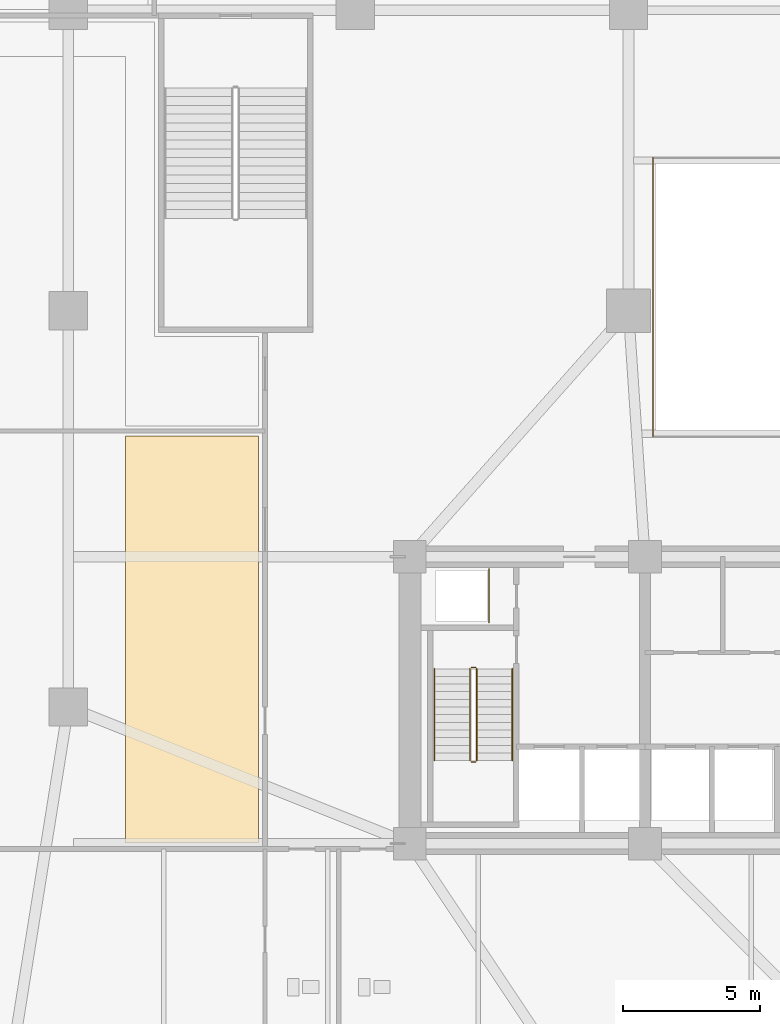
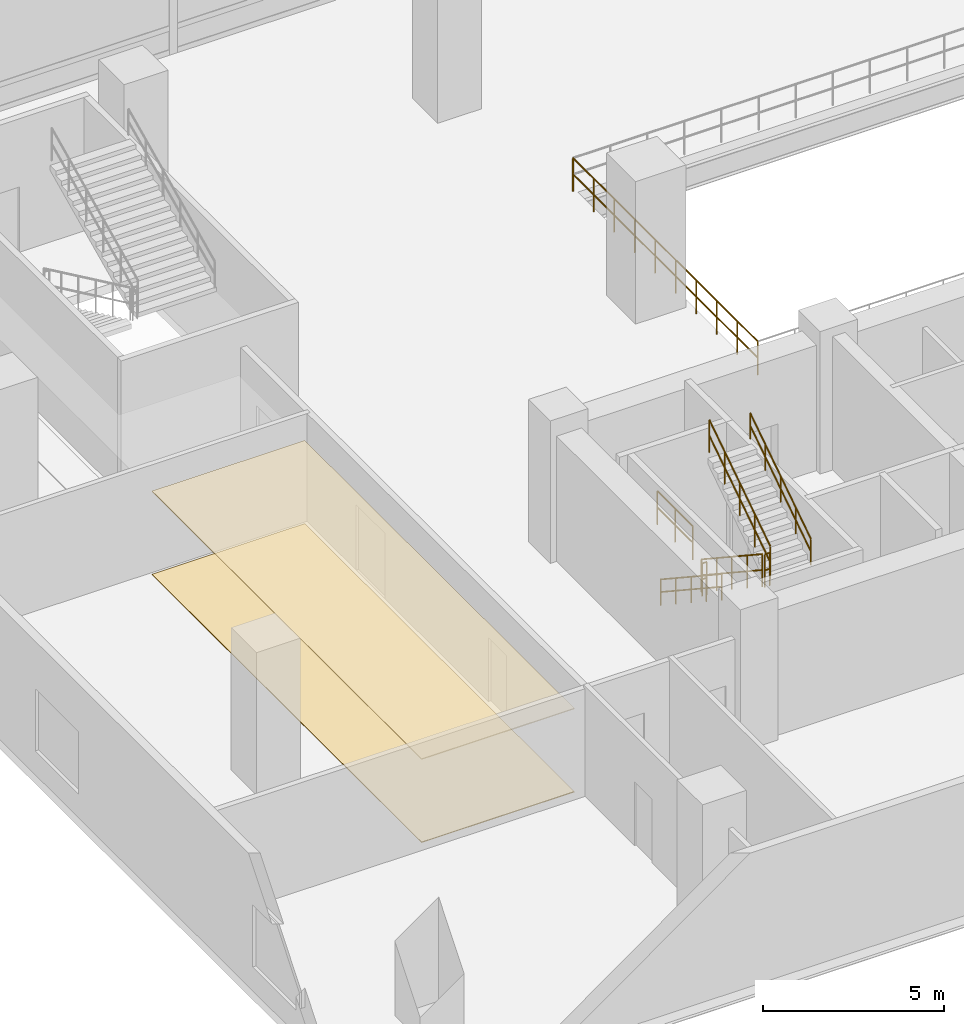
# One storey, part 10 of 15: 8 railings, 2 coverings.
"""IFC4 building model written with IfcOpenShell, lengths in metres."""

from ifc_helpers import new_model, si_unit, direction, frame, origin, origin_2d, place, context, subcontext, project, spatial, polyline, circle, outline, extrude, material, layer, layer_set, type_object, element, save


model = new_model("IFC4")

# Units and contexts
model_context = context("Model", 3, precision=1e-05, world=origin(), true_north=direction((0.0, 1.0)))
body_context = subcontext(model_context, "Body", "Model", "MODEL_VIEW")
ifc_project = project(units=[si_unit("LENGTHUNIT", "METRE"), si_unit("AREAUNIT", "SQUARE_METRE"), si_unit("VOLUMEUNIT", "CUBIC_METRE"), si_unit("PLANEANGLEUNIT", "RADIAN"), si_unit("MASSUNIT", "GRAM", prefix="KILO")], contexts=[model_context])

# Site, building, storey
site_placement = place(None, origin())
site = spatial("IfcSite", under=ifc_project, at=site_placement, CompositionType="ELEMENT")
building_placement = place(site_placement, origin())
building = spatial("IfcBuilding", under=site, at=building_placement, Name="Solmavex Isthmus Hotel", CompositionType="ELEMENT")
storey_placement = place(building_placement, frame((0.0, 0.0, 11.39990234375)))
storey = spatial("IfcBuildingStorey", under=building, at=storey_placement, Name="L03", CompositionType="ELEMENT", Elevation=11.39990234375)

# Coverings
ifc_material_1 = material(Name="Gypsum plasterboard lining", Category="gypsum")
ifc_layer_1 = layer(ifc_material_1, 0.030029296875)
ifc_layer_set_1 = layer_set([ifc_layer_1], Name="Gypsum plasterboard lining")
covering_type_1 = type_object("IfcCoveringType", Name="COV-CEIL-GYP", PredefinedType="CEILING", material=ifc_layer_set_1)
covering_1_placement = place(storey_placement, frame((0.0, 0.0, 2.800048828125)))
element("IfcCovering", 1, at=covering_1_placement, inside=storey, type_object=covering_type_1, Name="Suspended Acoustic Ceiling L03-MT01", PredefinedType="CEILING", context=body_context, shape_type="SweptSolid", body=[
    extrude(outline(polyline([(-21.530029296875, -12.969970703125), (-21.530029296875, 1.919921875), (-26.39990234375, 1.919921875), (-26.39990234375, -12.969970703125), (-21.530029296875, -12.969970703125)])), origin(), (0.0, 0.0, 1.0), 0.030029296875),
])
ifc_material_2 = material(Name="Travertine natural stone", Category="masonry")
ifc_layer_2 = layer(ifc_material_2, 0.02490234375)
ifc_layer_set_2 = layer_set([ifc_layer_2], Name="Travertine natural stone")
covering_type_2 = type_object("IfcCoveringType", Name="COV-FLOR-STN", PredefinedType="FLOORING", material=ifc_layer_set_2)
covering_2_placement = place(storey_placement, origin())
element("IfcCovering", 2, at=covering_2_placement, inside=storey, type_object=covering_type_2, Name="Stone and Timber Floor Finish L03-MT01", PredefinedType="FLOORING", context=body_context, shape_type="SweptSolid", body=[
    extrude(outline(polyline([(-21.530029296875, -12.969970703125), (-21.530029296875, 1.919921875), (-26.39990234375, 1.919921875), (-26.39990234375, -12.969970703125), (-21.530029296875, -12.969970703125)])), origin(), (0.0, 0.0, 1.0), 0.025146484375),
])

# Railings
ifc_material_3 = material(Name="Clear low-E laminated glass", Category="glass")
ifc_layer_3 = layer(ifc_material_3, 0.080078125)
ifc_layer_set_3 = layer_set([ifc_layer_3], Name="Clear low-E laminated glass")
railing_type_1 = type_object("IfcRailingType", Name="RAIL-ATRIUM-1120", PredefinedType="BALUSTRADE", material=ifc_layer_set_3)
railing_1_placement = place(storey_placement, frame((-7.10009765625, 12.10009765625, 0.0)))
element("IfcRailing", 3, at=railing_1_placement, inside=storey, type_object=railing_type_1, Name="Guardrail Balustrade L03-ATRIUM-04", PredefinedType="BALUSTRADE", context=body_context, shape_type="SweptSolid", body=[
    extrude(circle(Radius=0.02392578125, at=origin_2d()), frame((0.0, 0.0, 1.1259765625), z_axis=(0.0, -1.0, 0.0), x_axis=(1.0, 0.0, 0.0)), (0.0, 0.0, 1.0), 10.2001953125),
    extrude(circle(Radius=0.02392578125, at=origin_2d()), frame((0.0, 0.0, 0.574951171875), z_axis=(0.0, -1.0, 0.0), x_axis=(1.0, 0.0, 0.0)), (0.0, 0.0, 1.0), 10.2001953125),
    extrude(circle(Radius=0.02099609375, at=origin_2d()), origin(), (0.0, 0.0, 1.0), 1.101806640625),
    extrude(circle(Radius=0.02099609375, at=origin_2d()), frame((0.0, -1.13330078125, 0.0)), (0.0, 0.0, 1.0), 1.101806640625),
    extrude(circle(Radius=0.02099609375, at=origin_2d()), frame((0.0, -2.2666015625, 0.0)), (0.0, 0.0, 1.0), 1.101806640625),
    extrude(circle(Radius=0.02099609375, at=origin_2d()), frame((0.0, -3.400146484375, 0.0)), (0.0, 0.0, 1.0), 1.101806640625),
    extrude(circle(Radius=0.02099609375, at=origin_2d()), frame((0.0, -4.533447265625, 0.0)), (0.0, 0.0, 1.0), 1.101806640625),
    extrude(circle(Radius=0.02099609375, at=origin_2d()), frame((0.0, -5.666748046875, 0.0)), (0.0, 0.0, 1.0), 1.101806640625),
    extrude(circle(Radius=0.02099609375, at=origin_2d()), frame((0.0, -6.800048828125, 0.0)), (0.0, 0.0, 1.0), 1.101806640625),
    extrude(circle(Radius=0.02099609375, at=origin_2d()), frame((0.0, -7.93359375, 0.0)), (0.0, 0.0, 1.0), 1.101806640625),
    extrude(circle(Radius=0.02099609375, at=origin_2d()), frame((0.0, -9.06689453125, 0.0)), (0.0, 0.0, 1.0), 1.101806640625),
    extrude(circle(Radius=0.02099609375, at=origin_2d()), frame((0.0, -10.2001953125, 0.0)), (0.0, 0.0, 1.0), 1.101806640625),
])
railing_2_placement = place(storey_placement, frame((-13.10009765625, -4.89990234375, 0.0)))
element("IfcRailing", 4, at=railing_2_placement, inside=storey, type_object=railing_type_1, Name="Guardrail Balustrade L03-RSW-01", PredefinedType="BALUSTRADE", context=body_context, shape_type="SweptSolid", body=[
    extrude(circle(Radius=0.02392578125, at=origin_2d()), frame((0.0, 0.0, 1.1259765625), z_axis=(0.0, 1.0, 0.0), x_axis=(-1.0, 0.0, 0.0)), (0.0, 0.0, 1.0), 1.949951171875),
    extrude(circle(Radius=0.02392578125, at=origin_2d()), frame((0.0, 0.0, 0.574951171875), z_axis=(0.0, 1.0, 0.0), x_axis=(-1.0, 0.0, 0.0)), (0.0, 0.0, 1.0), 1.949951171875),
    extrude(circle(Radius=0.02099609375, at=origin_2d()), origin(), (0.0, 0.0, 1.0), 1.101806640625),
    extrude(circle(Radius=0.02099609375, at=origin_2d()), frame((0.0, 0.97509765625, 0.0)), (0.0, 0.0, 1.0), 1.101806640625),
    extrude(circle(Radius=0.02099609375, at=origin_2d()), frame((0.0, 1.949951171875, 0.0)), (0.0, 0.0, 1.0), 1.101806640625),
])
ifc_material_4 = material(Name="Stainless steel 316", Category="steel")
ifc_layer_4 = layer(ifc_material_4, 0.06005859375)
ifc_layer_set_4 = layer_set([ifc_layer_4], Name="Stainless steel 316")
railing_type_2 = type_object("IfcRailingType", Name="RAIL-STAIR-GD", PredefinedType="GUARDRAIL", material=ifc_layer_set_4)
railing_3_placement = place(storey_placement, frame((-13.800048828125, -6.60009765625, 0.184814453125)))
element("IfcRailing", 5, at=railing_3_placement, inside=storey, type_object=railing_type_2, Name="L03 ST-1 stair guard 1", PredefinedType="GUARDRAIL", context=body_context, shape_type="SweptSolid", body=[
    extrude(circle(Radius=0.02392578125, at=origin_2d()), frame((0.0, 0.0, 1.09619140625), z_axis=(0.0, -0.834858096282, 0.550465220583), x_axis=(1.0, 0.0, 0.0)), (0.0, 0.0, 1.0), 4.0244140625),
    extrude(circle(Radius=0.02392578125, at=origin_2d()), frame((0.0, 0.0, 0.56005859375), z_axis=(0.0, -0.834858096282, 0.550465220583), x_axis=(1.0, 0.0, 0.0)), (0.0, 0.0, 1.0), 4.0244140625),
    extrude(circle(Radius=0.02099609375, at=origin_2d()), origin(), (0.0, 0.0, 1.0), 1.072021484375),
    extrude(circle(Radius=0.02099609375, at=origin_2d()), frame((0.0, -0.83984375, 0.5537109375)), (0.0, 0.0, 1.0), 1.072021484375),
    extrude(circle(Radius=0.02099609375, at=origin_2d()), frame((0.0, -1.679931640625, 1.107666015625)), (0.0, 0.0, 1.0), 1.072021484375),
    extrude(circle(Radius=0.02099609375, at=origin_2d()), frame((0.0, -2.52001953125, 1.66162109375)), (0.0, 0.0, 1.0), 1.072021484375),
    extrude(circle(Radius=0.02099609375, at=origin_2d()), frame((0.0, -3.35986328125, 2.21533203125)), (0.0, 0.0, 1.0), 1.072021484375),
])
railing_4_placement = place(storey_placement, frame((-13.75, -10.010009765625, 2.400146484375)))
element("IfcRailing", 6, at=railing_4_placement, inside=storey, type_object=railing_type_2, Name="L03 ST-1 stair guard 2", PredefinedType="GUARDRAIL", context=body_context, shape_type="SweptSolid", body=[
    extrude(circle(Radius=0.02392578125, at=origin_2d()), frame((0.0, 0.0, 1.09619140625), z_axis=(1.0, 0.0, 0.0), x_axis=(0.0, 1.0, 0.0)), (0.0, 0.0, 1.0), 0.14990234375),
    extrude(circle(Radius=0.02392578125, at=origin_2d()), frame((0.0, 0.0, 0.56005859375), z_axis=(1.0, 0.0, 0.0), x_axis=(0.0, 1.0, 0.0)), (0.0, 0.0, 1.0), 0.14990234375),
    extrude(circle(Radius=0.02099609375, at=origin_2d()), origin(), (0.0, 0.0, 1.0), 1.072021484375),
    extrude(circle(Radius=0.02099609375, at=origin_2d()), frame((0.14990234375, 0.0, 0.0)), (0.0, 0.0, 1.0), 1.072021484375),
])
railing_5_placement = place(storey_placement, frame((-13.550048828125, -9.9599609375, 2.584716796875)))
element("IfcRailing", 7, at=railing_5_placement, inside=storey, type_object=railing_type_2, Name="L03 ST-1 stair guard 3", PredefinedType="GUARDRAIL", context=body_context, shape_type="SweptSolid", body=[
    extrude(circle(Radius=0.02392578125, at=origin_2d()), frame((0.0, 0.0, 1.09619140625), z_axis=(0.0, 0.834858096282, 0.550465220583), x_axis=(-1.0, 0.0, 0.0)), (0.0, 0.0, 1.0), 4.0244140625),
    extrude(circle(Radius=0.02392578125, at=origin_2d()), frame((0.0, 0.0, 0.56005859375), z_axis=(0.0, 0.834858096282, 0.550465220583), x_axis=(-1.0, 0.0, 0.0)), (0.0, 0.0, 1.0), 4.0244140625),
    extrude(circle(Radius=0.02099609375, at=origin_2d()), origin(), (0.0, 0.0, 1.0), 1.072021484375),
    extrude(circle(Radius=0.02099609375, at=origin_2d()), frame((0.0, 0.83984375, 0.5537109375)), (0.0, 0.0, 1.0), 1.072021484375),
    extrude(circle(Radius=0.02099609375, at=origin_2d()), frame((0.0, 1.679931640625, 1.107666015625)), (0.0, 0.0, 1.0), 1.072021484375),
    extrude(circle(Radius=0.02099609375, at=origin_2d()), frame((0.0, 2.52001953125, 1.66162109375)), (0.0, 0.0, 1.0), 1.072021484375),
    extrude(circle(Radius=0.02099609375, at=origin_2d()), frame((0.0, 3.35986328125, 2.21533203125)), (0.0, 0.0, 1.0), 1.072021484375),
])
railing_6_placement = place(storey_placement, frame((-13.75, -6.550048828125, 0.0)))
element("IfcRailing", 8, at=railing_6_placement, inside=storey, type_object=railing_type_2, Name="L03 ST-1 stair guard 4", PredefinedType="GUARDRAIL", context=body_context, shape_type="SweptSolid", body=[
    extrude(circle(Radius=0.02392578125, at=origin_2d()), frame((0.0, 0.0, 1.09619140625), z_axis=(1.0, 0.0, 0.0), x_axis=(0.0, 1.0, 0.0)), (0.0, 0.0, 1.0), 0.14990234375),
    extrude(circle(Radius=0.02392578125, at=origin_2d()), frame((0.0, 0.0, 0.56005859375), z_axis=(1.0, 0.0, 0.0), x_axis=(0.0, 1.0, 0.0)), (0.0, 0.0, 1.0), 0.14990234375),
    extrude(circle(Radius=0.02099609375, at=origin_2d()), origin(), (0.0, 0.0, 1.0), 1.072021484375),
    extrude(circle(Radius=0.02099609375, at=origin_2d()), frame((0.14990234375, 0.0, 0.0)), (0.0, 0.0, 1.0), 1.072021484375),
])
ifc_layer_5 = layer(ifc_material_4, 0.050048828125)
ifc_layer_set_5 = layer_set([ifc_layer_5], Name="Stainless steel 316")
railing_type_3 = type_object("IfcRailingType", Name="RAIL-STAIR-HR", PredefinedType="HANDRAIL", material=ifc_layer_set_5)
railing_7_placement = place(storey_placement, frame((-15.10009765625, -6.60009765625, 0.184814453125)))
element("IfcRailing", 9, at=railing_7_placement, inside=storey, type_object=railing_type_3, Name="L03 ST-1 stair handrail 1", PredefinedType="HANDRAIL", context=body_context, shape_type="SweptSolid", body=[
    extrude(circle(Radius=0.02392578125, at=origin_2d()), frame((0.0, 0.0, 0.8759765625), z_axis=(0.0, -0.834858096282, 0.550465220583), x_axis=(1.0, 0.0, 0.0)), (0.0, 0.0, 1.0), 4.0244140625),
    extrude(circle(Radius=0.02392578125, at=origin_2d()), frame((0.0, 0.0, 0.449951171875), z_axis=(0.0, -0.834858096282, 0.550465220583), x_axis=(1.0, 0.0, 0.0)), (0.0, 0.0, 1.0), 4.0244140625),
    extrude(circle(Radius=0.02099609375, at=origin_2d()), origin(), (0.0, 0.0, 1.0), 0.851806640625),
    extrude(circle(Radius=0.02099609375, at=origin_2d()), frame((0.0, -0.83984375, 0.5537109375)), (0.0, 0.0, 1.0), 0.851806640625),
    extrude(circle(Radius=0.02099609375, at=origin_2d()), frame((0.0, -1.679931640625, 1.107666015625)), (0.0, 0.0, 1.0), 0.851806640625),
    extrude(circle(Radius=0.02099609375, at=origin_2d()), frame((0.0, -2.52001953125, 1.66162109375)), (0.0, 0.0, 1.0), 0.851806640625),
    extrude(circle(Radius=0.02099609375, at=origin_2d()), frame((0.0, -3.35986328125, 2.21533203125)), (0.0, 0.0, 1.0), 0.851806640625),
])
railing_8_placement = place(storey_placement, frame((-12.25, -9.9599609375, 2.584716796875)))
element("IfcRailing", 10, at=railing_8_placement, inside=storey, type_object=railing_type_3, Name="L03 ST-1 stair handrail 2", PredefinedType="HANDRAIL", context=body_context, shape_type="SweptSolid", body=[
    extrude(circle(Radius=0.02392578125, at=origin_2d()), frame((0.0, 0.0, 0.8759765625), z_axis=(0.0, 0.834858096282, 0.550465220583), x_axis=(-1.0, 0.0, 0.0)), (0.0, 0.0, 1.0), 4.0244140625),
    extrude(circle(Radius=0.02392578125, at=origin_2d()), frame((0.0, 0.0, 0.449951171875), z_axis=(0.0, 0.834858096282, 0.550465220583), x_axis=(-1.0, 0.0, 0.0)), (0.0, 0.0, 1.0), 4.0244140625),
    extrude(circle(Radius=0.02099609375, at=origin_2d()), origin(), (0.0, 0.0, 1.0), 0.851806640625),
    extrude(circle(Radius=0.02099609375, at=origin_2d()), frame((0.0, 0.83984375, 0.5537109375)), (0.0, 0.0, 1.0), 0.851806640625),
    extrude(circle(Radius=0.02099609375, at=origin_2d()), frame((0.0, 1.679931640625, 1.107666015625)), (0.0, 0.0, 1.0), 0.851806640625),
    extrude(circle(Radius=0.02099609375, at=origin_2d()), frame((0.0, 2.52001953125, 1.66162109375)), (0.0, 0.0, 1.0), 0.851806640625),
    extrude(circle(Radius=0.02099609375, at=origin_2d()), frame((0.0, 3.35986328125, 2.21533203125)), (0.0, 0.0, 1.0), 0.851806640625),
])

save(model, "model.ifc")
